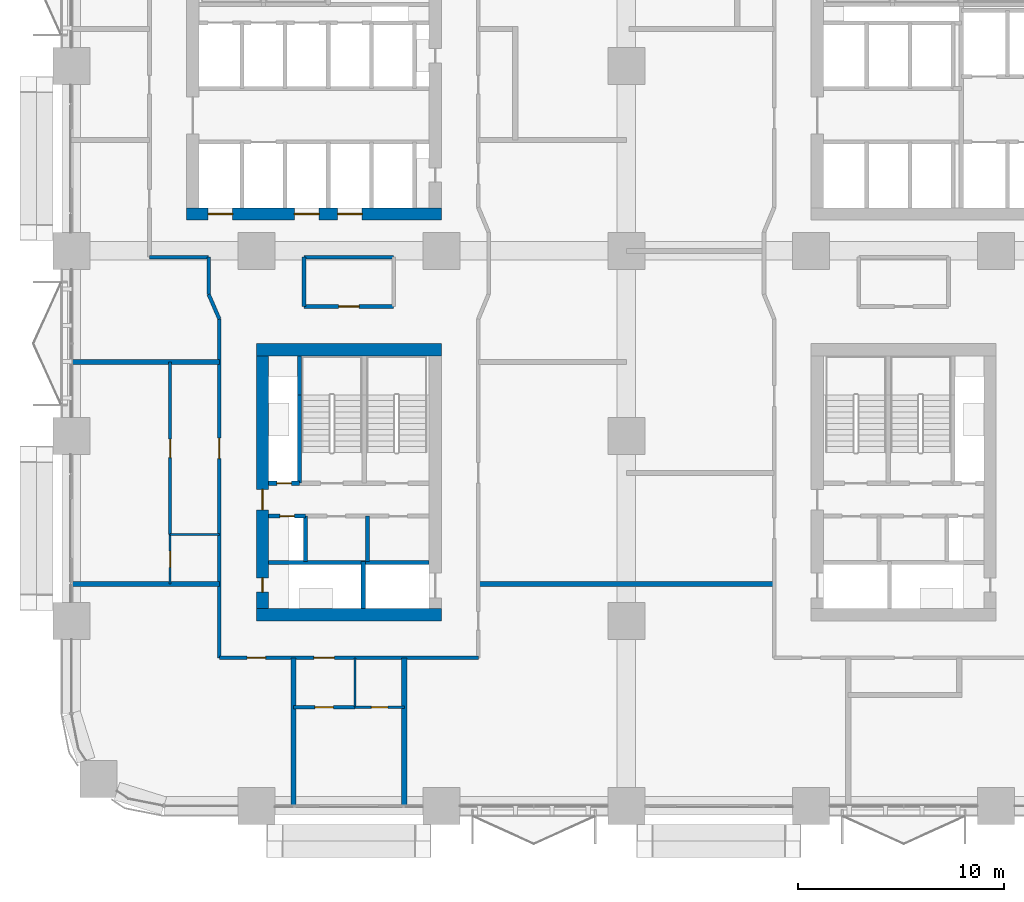
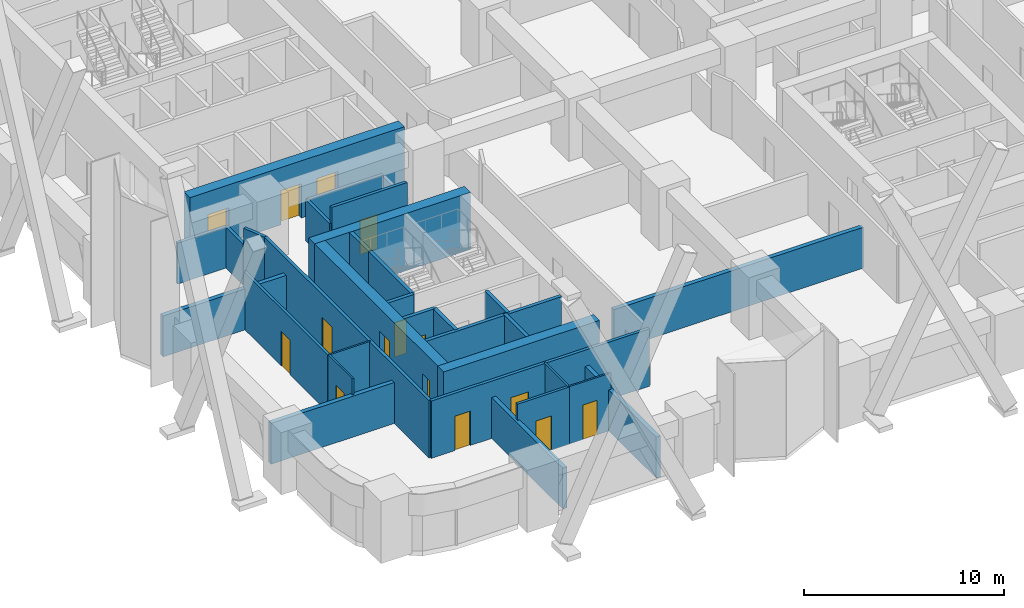
# One storey, part 17 of 26: 31 walls, 15 doors, 15 openings.
"""IFC4 building model written with IfcOpenShell, lengths in metres."""

import ifcopenshell
import ifcopenshell.guid

model = None  # the IFC model being written
_history = None  # IfcOwnerHistory: only IFC2X3 demands one
_inside = {}  # id of a spatial element -> (the spatial element, [elements in it])
_under = {}  # id of a project, library or spatial element -> (it, [spatial elements below it])
_declared = {}  # id of a project -> (the project, [libraries it declares])
_typed = {}  # id of a type object -> (the type object, [elements of that type])
_made_of = {}  # id of a material, layer set ... -> (it, [elements and type objects made of it])


def new_model(schema):
    """Start an empty IFC model of exactly this schema.

    Asked for "IFC4X3", IfcOpenShell would pick the latest addendum, in which some entities
    have other attributes; the version numbers below select the first issue.
    IFC2X3 requires an IfcOwnerHistory on every rooted entity: one is made here for all.
    """
    global model, _history
    if schema == "IFC4X3":
        model = ifcopenshell.file(schema_version=(4, 3, 0, 0))
    else:
        model = ifcopenshell.file(schema=schema)
    _inside.clear()
    _under.clear()
    _declared.clear()
    _typed.clear()
    _made_of.clear()
    _history = None
    if model.schema == "IFC2X3":
        org = make("IfcOrganization", Name="unknown")
        user = make(
            "IfcPersonAndOrganization",
            ThePerson=make("IfcPerson", FamilyName="unknown"),
            TheOrganization=org,
        )
        app = make(
            "IfcApplication",
            ApplicationDeveloper=org,
            Version="unknown",
            ApplicationFullName="unknown",
            ApplicationIdentifier="unknown",
        )
        _history = make(
            "IfcOwnerHistory",
            OwningUser=user,
            OwningApplication=app,
            ChangeAction="ADDED",
            CreationDate=0,
        )
    return model


def make(cls, **values):
    """One entity of the class cls with the attributes given. An attribute that is None is left unset."""
    return model.create_entity(
        cls, **{name: value for name, value in values.items() if value is not None}
    )


def rooted(cls, **values):
    """An entity with a GlobalId (a new one), such as an element, a storey or a relation."""
    return make(cls, GlobalId=ifcopenshell.guid.new(), OwnerHistory=_history, **values)


def si_unit(unit_type, name, prefix=None):
    """IfcSIUnit, for example si_unit("LENGTHUNIT", "METRE", prefix="MILLI")."""
    return make("IfcSIUnit", UnitType=unit_type, Prefix=prefix, Name=name)


def assignment(units):
    """IfcUnitAssignment: the units of a project."""
    return None if units is None else make("IfcUnitAssignment", Units=units)


def point(xyz):
    """IfcCartesianPoint."""
    return None if xyz is None else make("IfcCartesianPoint", Coordinates=xyz)


def direction(xyz):
    """IfcDirection."""
    return None if xyz is None else make("IfcDirection", DirectionRatios=xyz)


def frame(location, z_axis=None, x_axis=None):
    """IfcAxis2Placement3D, a coordinate frame: its origin and axes. An axis left out is left unset."""
    return make(
        "IfcAxis2Placement3D",
        Location=point(location),
        Axis=direction(z_axis),
        RefDirection=direction(x_axis),
    )


def frame_2d(location, x_axis=None):
    """IfcAxis2Placement2D, a coordinate frame in the plane: its origin and x axis."""
    return make(
        "IfcAxis2Placement2D", Location=point(location), RefDirection=direction(x_axis)
    )


def origin():
    """The frame at (0, 0, 0) with its axes left unset."""
    return frame((0.0, 0.0, 0.0))


def place(relative_to, where):
    """IfcLocalPlacement: puts the frame where relative to a parent placement (None: the world)."""
    return make(
        "IfcLocalPlacement", PlacementRelTo=relative_to, RelativePlacement=where
    )


def context(
    kind, dimensions, precision=None, world=None, true_north=None, identifier=None
):
    """IfcGeometricRepresentationContext, for example the 3D "Model" context."""
    return make(
        "IfcGeometricRepresentationContext",
        ContextIdentifier=identifier,
        ContextType=kind,
        CoordinateSpaceDimension=dimensions,
        Precision=precision,
        WorldCoordinateSystem=world,
        TrueNorth=true_north,
    )


def subcontext(parent, identifier, kind, view, scale=None):
    """IfcGeometricRepresentationSubContext, for example "Body" below "Model"."""
    return make(
        "IfcGeometricRepresentationSubContext",
        ContextIdentifier=identifier,
        ContextType=kind,
        ParentContext=parent,
        TargetScale=scale,
        TargetView=view,
    )


def project(units=None, contexts=None):
    """IfcProject with its units and contexts."""
    return rooted(
        "IfcProject",
        Name="project",
        RepresentationContexts=contexts,
        UnitsInContext=assignment(units),
    )


def spatial(cls, under=None, at=None, **own):
    """A site, building, storey or space (cls), placed at a placement, below another one or the project."""
    s = rooted(cls, ObjectPlacement=at, **own)
    if under is not None:
        _under.setdefault(under.id(), (under, []))[1].append(s)
    return s


def profile(cls, at=None, kind="AREA", **sizes):
    """A parametric profile (cls). Its sizes go by their IFC names, for example OverallWidth=200.0."""
    return make(cls, ProfileType=kind, Position=at, **sizes)


def rectangle(**sizes):
    """IfcRectangleProfileDef."""
    return profile("IfcRectangleProfileDef", **sizes)


def extrude(swept, where, along, depth):
    """IfcExtrudedAreaSolid: the profile swept, set in the frame where, extruded along a direction by depth."""
    return make(
        "IfcExtrudedAreaSolid",
        SweptArea=swept,
        Position=where,
        ExtrudedDirection=direction(along),
        Depth=depth,
    )


def shape(context_of_items, identifier, shape_type, items):
    """IfcShapeRepresentation: the items that make up one representation, for example the "Body"."""
    return make(
        "IfcShapeRepresentation",
        ContextOfItems=context_of_items,
        RepresentationIdentifier=identifier,
        RepresentationType=shape_type,
        Items=items,
    )


def material(Name=None, Category=None):
    """IfcMaterial."""
    return make("IfcMaterial", Name=Name, Category=Category)


def layer(
    of_material, thickness, ventilated=None, Name=None, Category=None, Priority=None
):
    """IfcMaterialLayer: one layer of a wall or slab, of a material (None: an air gap)."""
    return make(
        "IfcMaterialLayer",
        Material=of_material,
        LayerThickness=thickness,
        IsVentilated=ventilated,
        Name=Name,
        Category=Category,
        Priority=Priority,
    )


def layer_set(layers, Name=None):
    """IfcMaterialLayerSet."""
    return make("IfcMaterialLayerSet", MaterialLayers=layers, LayerSetName=Name)


def made_of(thing, what):
    """Note that an element or type object is made of a material, layer set ...; save() writes the relation."""
    if what is not None:
        _made_of.setdefault(what.id(), (what, []))[1].append(thing)
    return thing


def type_object(cls, material=None, **own):
    """A type object (cls), such as IfcWallType, which elements share."""
    return made_of(rooted(cls, **own), material)


def element(
    cls,
    number,
    at=None,
    inside=None,
    cuts=None,
    type_object=None,
    material=None,
    context=None,
    identifier="Body",
    shape_type=None,
    held_by="IfcProductDefinitionShape",
    body=None,
    shapes=None,
    **own,
):
    """One element of the class cls, such as IfcWall. Its Tag is "e" and its number.

    at: its placement. inside: the storey or other place that contains it. cuts: it is an
    opening in that element (IfcRelVoidsElement). A single representation is given by context,
    identifier, shape_type and body (its items); several are given by shapes. held_by: the class
    of the entity that holds the representations. save() writes the other relations.
    """
    e = rooted(cls, Tag="e%d" % number, ObjectPlacement=at, **own)
    if body is not None:
        shapes = [shape(context, identifier, shape_type, body)]
    if shapes is not None:
        e.Representation = make(held_by, Representations=shapes)
    if inside is not None:
        _inside.setdefault(inside.id(), (inside, []))[1].append(e)
    if cuts is not None:
        rooted(
            "IfcRelVoidsElement", RelatingBuildingElement=cuts, RelatedOpeningElement=e
        )
    if type_object is not None:
        _typed.setdefault(type_object.id(), (type_object, []))[1].append(e)
    return made_of(e, material)


def fill(opening, filler):
    """IfcRelFillsElement: the door or window that sits in an opening."""
    return rooted(
        "IfcRelFillsElement",
        RelatingOpeningElement=opening,
        RelatedBuildingElement=filler,
    )


def aggregate(whole, parts):
    """IfcRelAggregates: a whole, such as a stair, and the parts it consists of."""
    return rooted("IfcRelAggregates", RelatingObject=whole, RelatedObjects=parts)


def save(model, path):
    """Write the relations noted so far, then the file.

    IfcRelAggregates (storeys below a building ...), IfcRelContainedInSpatialStructure (elements
    in a storey), IfcRelDefinesByType, IfcRelAssociatesMaterial and IfcRelDeclares: one each for
    every whole, place, type object, material and project.
    """
    for whole, parts in _under.values():
        aggregate(whole, parts)
    for where, things in _inside.values():
        rooted(
            "IfcRelContainedInSpatialStructure",
            RelatedElements=things,
            RelatingStructure=where,
        )
    for kind, things in _typed.values():
        rooted("IfcRelDefinesByType", RelatedObjects=things, RelatingType=kind)
    for what, things in _made_of.values():
        rooted("IfcRelAssociatesMaterial", RelatedObjects=things, RelatingMaterial=what)
    for by, libraries in _declared.values():
        rooted("IfcRelDeclares", RelatingContext=by, RelatedDefinitions=libraries)
    model.write(path)


model = new_model("IFC4")

# Units and contexts
model_context = context("Model", 3, precision=1e-05, world=origin(), true_north=direction((0.0, 1.0)))
body_context = subcontext(model_context, "Body", "Model", "MODEL_VIEW")
ifc_project = project(units=[si_unit("LENGTHUNIT", "METRE"), si_unit("AREAUNIT", "SQUARE_METRE"), si_unit("VOLUMEUNIT", "CUBIC_METRE"), si_unit("PLANEANGLEUNIT", "RADIAN"), si_unit("MASSUNIT", "GRAM", prefix="KILO")], contexts=[model_context])

# Site, building, storey
site_placement = place(None, origin())
site = spatial("IfcSite", under=ifc_project, at=site_placement, CompositionType="ELEMENT")
building_placement = place(site_placement, origin())
building = spatial("IfcBuilding", under=site, at=building_placement, Name="Tessera Arch", CompositionType="ELEMENT")
storey_placement = place(building_placement, frame((0.0, 0.0, 31.0)))
storey = spatial("IfcBuildingStorey", under=building, at=storey_placement, Name="L05", CompositionType="ELEMENT", Elevation=31.0)

# Wall
ifc_material_1 = material(Name="Gypsum board on steel stud", Category="steel")
ifc_layer_1 = layer(ifc_material_1, 0.125)
ifc_layer_set_1 = layer_set([ifc_layer_1], Name="Core partition 125 EI 60")
wall_type_1 = type_object("IfcWallType", Name="Core partition 125 EI 60", PredefinedType="PARTITIONING", material=ifc_layer_set_1)
wall_1_placement = place(storey_placement, frame((14.39990234375, 11.89990234375, 0.0), z_axis=(0.0, 0.0, 1.0), x_axis=(0.0, 1.0, 0.0)))
element("IfcWall", 1, at=wall_1_placement, inside=storey, type_object=wall_type_1, Name="L05 C4 partition wall 7", PredefinedType="PARTITIONING", context=body_context, shape_type="SweptSolid", body=[
    extrude(rectangle(XDim=2.2001953125, YDim=0.199951171875, at=frame_2d((1.10009765625, 0.0))), origin(), (0.0, 0.0, 1.0), 3.5),
])

# Wall, openings, doors
ifc_material_2 = material(Name="Concrete C70/85", Category="concrete")
ifc_layer_2 = layer(ifc_material_2, 0.60009765625)
ifc_layer_set_2 = layer_set([ifc_layer_2], Name="Core shell wall 600 C70-85")
wall_type_2 = type_object("IfcWallType", Name="Core shell wall 600 C70-85", PredefinedType="SHEAR", material=ifc_layer_set_2)
wall_2_placement = place(storey_placement, frame((5.60009765625, 28.800048828125, 0.0), z_axis=(0.0, 0.0, 1.0), x_axis=(1.0, 0.0, 0.0)))
wall_2 = element("IfcWall", 2, at=wall_2_placement, inside=storey, type_object=wall_type_2, Name="L05 C2 core wall S", PredefinedType="SHEAR", context=body_context, shape_type="SweptSolid", body=[
    extrude(rectangle(XDim=12.39990234375, YDim=0.60009765625, at=frame_2d((6.199951171875, 0.0))), origin(), (0.0, 0.0, 1.0), 3.5),
])
opening_1_placement = place(wall_2_placement, frame((1.050048828125, 0.0, 0.0)))
opening_1 = element("IfcOpeningElement", 3, at=opening_1_placement, cuts=wall_2, Name="Opening L05-C14", PredefinedType="OPENING", context=body_context, shape_type="SweptSolid", body=[
    extrude(rectangle(XDim=1.199951171875, YDim=2.10009765625, at=frame_2d((0.60009765625, 1.050048828125))), frame((0.0, 0.31005859375, 0.0), z_axis=(0.0, -1.0, 0.0), x_axis=(1.0, 0.0, 0.0)), (0.0, 0.0, 1.0), 0.6201171875),
])
opening_2_placement = place(wall_2_placement, frame((5.25, 0.0, 0.0)))
opening_2 = element("IfcOpeningElement", 4, at=opening_2_placement, cuts=wall_2, Name="Opening L05-C16", PredefinedType="OPENING", context=body_context, shape_type="SweptSolid", body=[
    extrude(rectangle(XDim=1.199951171875, YDim=2.10009765625, at=frame_2d((0.60009765625, 1.050048828125))), frame((0.0, 0.31005859375, 0.0), z_axis=(0.0, -1.0, 0.0), x_axis=(1.0, 0.0, 0.0)), (0.0, 0.0, 1.0), 0.6201171875),
])
opening_3_placement = place(wall_2_placement, frame((7.35009765625, 0.0, 0.0)))
opening_3 = element("IfcOpeningElement", 5, at=opening_3_placement, cuts=wall_2, Name="Opening L05-C17", PredefinedType="OPENING", context=body_context, shape_type="SweptSolid", body=[
    extrude(rectangle(XDim=1.199951171875, YDim=2.10009765625, at=frame_2d((0.60009765625, 1.050048828125))), frame((0.0, 0.31005859375, 0.0), z_axis=(0.0, -1.0, 0.0), x_axis=(1.0, 0.0, 0.0)), (0.0, 0.0, 1.0), 0.6201171875),
])
ifc_material_3 = material(Name="Stainless steel AISI 304", Category="steel")
door_type_1 = type_object("IfcDoorType", Name="Sliding landing door 1200 x 2100", OperationType="SLIDING_TO_LEFT", PredefinedType="DOOR", material=ifc_material_3)
door_1_placement = place(opening_1_placement, origin())
door_1 = element("IfcDoor", 6, at=door_1_placement, inside=storey, type_object=door_type_1, Name="L05 LR1 lift landing door C14 type LD", OperationType="SLIDING_TO_LEFT", OverallHeight=2.10009765625, OverallWidth=1.199951171875, PredefinedType="DOOR", context=body_context, shape_type="SweptSolid", body=[
    extrude(rectangle(XDim=1.199951171875, YDim=2.10009765625, at=frame_2d((0.60009765625, 1.050048828125))), frame((0.0, 0.02490234375, 0.0), z_axis=(0.0, -1.0, 0.0), x_axis=(1.0, 0.0, 0.0)), (0.0, 0.0, 1.0), 0.050048828125),
])
fill(opening_1, door_1)
door_2_placement = place(opening_2_placement, origin())
door_2 = element("IfcDoor", 7, at=door_2_placement, inside=storey, type_object=door_type_1, Name="L05 LR3 lift landing door C16 type LD", OperationType="SLIDING_TO_LEFT", OverallHeight=2.10009765625, OverallWidth=1.199951171875, PredefinedType="DOOR", context=body_context, shape_type="SweptSolid", body=[
    extrude(rectangle(XDim=1.199951171875, YDim=2.10009765625, at=frame_2d((0.60009765625, 1.050048828125))), frame((0.0, 0.02490234375, 0.0), z_axis=(0.0, -1.0, 0.0), x_axis=(1.0, 0.0, 0.0)), (0.0, 0.0, 1.0), 0.050048828125),
])
fill(opening_2, door_2)
door_3_placement = place(opening_3_placement, origin())
door_3 = element("IfcDoor", 8, at=door_3_placement, inside=storey, type_object=door_type_1, Name="L05 LR4 lift landing door C17 type LD", OperationType="SLIDING_TO_LEFT", OverallHeight=2.10009765625, OverallWidth=1.199951171875, PredefinedType="DOOR", context=body_context, shape_type="SweptSolid", body=[
    extrude(rectangle(XDim=1.199951171875, YDim=2.10009765625, at=frame_2d((0.60009765625, 1.050048828125))), frame((0.0, 0.02490234375, 0.0), z_axis=(0.0, -1.0, 0.0), x_axis=(1.0, 0.0, 0.0)), (0.0, 0.0, 1.0), 0.050048828125),
])
fill(opening_3, door_3)

# Walls
for number, where, z_axis, x_axis, name in (
    (9, (9.0, 9.300048828125, 0.0), (0.0, 0.0, 1.0), (1.0, 0.0, 0.0), "L05 C4 core wall S"),
    (10, (9.0, 22.199951171875, 0.0), (0.0, 0.0, 1.0), (1.0, 0.0, 0.0), "L05 C4 core wall N"),
):
    element("IfcWall", number, at=place(storey_placement, frame(where, z_axis=z_axis, x_axis=x_axis)), inside=storey, type_object=wall_type_2, Name=name, PredefinedType="SHEAR", context=body_context, shape_type="SweptSolid", body=[
        extrude(rectangle(XDim=9.0, YDim=0.60009765625, at=frame_2d((4.5, 0.0))), origin(), (0.0, 0.0, 1.0), 3.5),
    ])

# Wall, openings, doors
wall_3_placement = place(storey_placement, frame((9.300048828125, 9.60009765625, 0.0), z_axis=(0.0, 0.0, 1.0), x_axis=(0.0, 1.0, 0.0)))
wall_3 = element("IfcWall", 11, at=wall_3_placement, inside=storey, type_object=wall_type_2, Name="L05 C4 core wall W", PredefinedType="SHEAR", context=body_context, shape_type="SweptSolid", body=[
    extrude(rectangle(XDim=12.2998046875, YDim=0.60009765625, at=frame_2d((6.14990234375, 0.0))), origin(), (0.0, 0.0, 1.0), 3.5),
])
opening_4_placement = place(wall_3_placement, frame((0.800048828125, 0.0, 0.0)))
opening_4 = element("IfcOpeningElement", 12, at=opening_4_placement, cuts=wall_3, Name="Opening L05-C45", PredefinedType="OPENING", context=body_context, shape_type="SweptSolid", body=[
    extrude(rectangle(XDim=0.699951171875, YDim=2.10009765625, at=frame_2d((0.35009765625, 1.050048828125))), frame((0.0, 0.31005859375, 0.0), z_axis=(0.0, -1.0, 0.0), x_axis=(1.0, 0.0, 0.0)), (0.0, 0.0, 1.0), 0.6201171875),
])
opening_5_placement = place(wall_3_placement, frame((4.800048828125, 0.0, 0.0)))
opening_5 = element("IfcOpeningElement", 13, at=opening_5_placement, cuts=wall_3, Name="Opening L05-C46", PredefinedType="OPENING", context=body_context, shape_type="SweptSolid", body=[
    extrude(rectangle(XDim=1.0, YDim=2.10009765625, at=frame_2d((0.5, 1.050048828125))), frame((0.0, 0.31005859375, 0.0), z_axis=(0.0, -1.0, 0.0), x_axis=(1.0, 0.0, 0.0)), (0.0, 0.0, 1.0), 0.6201171875),
])
ifc_material_4 = material(Name="Steel door leaf", Category="steel")
door_type_2 = type_object("IfcDoorType", Name="Corridor door FD60 1000 x 2100", OperationType="SINGLE_SWING_LEFT", PredefinedType="DOOR", material=ifc_material_4)
door_4_placement = place(opening_5_placement, origin())
door_4 = element("IfcDoor", 14, at=door_4_placement, inside=storey, type_object=door_type_2, Name="L05 C4 door 7 C46 type D12", OperationType="SINGLE_SWING_LEFT", OverallHeight=2.10009765625, OverallWidth=1.0, PredefinedType="DOOR", context=body_context, shape_type="SweptSolid", body=[
    extrude(rectangle(XDim=1.0, YDim=2.10009765625, at=frame_2d((0.5, 1.050048828125))), frame((0.0, 0.02490234375, 0.0), z_axis=(0.0, -1.0, 0.0), x_axis=(1.0, 0.0, 0.0)), (0.0, 0.0, 1.0), 0.050048828125),
])
fill(opening_5, door_4)
ifc_material_5 = material(Name="Steel door leaf", Category="steel")
door_type_3 = type_object("IfcDoorType", Name="Service shaft door FD60 700 x 2100", OperationType="SINGLE_SWING_LEFT", PredefinedType="DOOR", material=ifc_material_5)
door_5_placement = place(opening_4_placement, origin())
door_5 = element("IfcDoor", 15, at=door_5_placement, inside=storey, type_object=door_type_3, Name="L05 C4 door 6 C45 type D07", OperationType="SINGLE_SWING_LEFT", OverallHeight=2.10009765625, OverallWidth=0.699951171875, PredefinedType="DOOR", context=body_context, shape_type="SweptSolid", body=[
    extrude(rectangle(XDim=0.699951171875, YDim=2.10009765625, at=frame_2d((0.35009765625, 1.050048828125))), frame((0.0, 0.02490234375, 0.0), z_axis=(0.0, -1.0, 0.0), x_axis=(1.0, 0.0, 0.0)), (0.0, 0.0, 1.0), 0.050048828125),
])
fill(opening_4, door_5)

ifc_material_6 = material(Name="Gypsum board on deep steel stud with mineral wool", Category="steel")
ifc_layer_3 = layer(ifc_material_6, 0.175048828125)
ifc_layer_set_3 = layer_set([ifc_layer_3], Name="Corridor wall 175 EI 60")
wall_type_3 = type_object("IfcWallType", Name="Corridor wall 175 EI 60", PredefinedType="PARTITIONING", material=ifc_layer_set_3)
wall_4_placement = place(storey_placement, frame((7.199951171875, 7.199951171875, 0.0), z_axis=(0.0, 0.0, 1.0), x_axis=(1.0, 0.0, 0.0)))
wall_4 = element("IfcWall", 16, at=wall_4_placement, inside=storey, type_object=wall_type_3, Name="L05 partition 1", PredefinedType="PARTITIONING", context=body_context, shape_type="SweptSolid", body=[
    extrude(rectangle(XDim=12.60009765625, YDim=0.175048828125, at=frame_2d((6.300048828125, 0.0))), origin(), (0.0, 0.0, 1.0), 3.5),
])
opening_6_placement = place(wall_4_placement, frame((4.60009765625, 0.0, 0.0)))
opening_6 = element("IfcOpeningElement", 17, at=opening_6_placement, cuts=wall_4, Name="Opening L05-D001", PredefinedType="OPENING", context=body_context, shape_type="SweptSolid", body=[
    extrude(rectangle(XDim=1.0, YDim=2.10009765625, at=frame_2d((0.5, 1.050048828125))), frame((0.0, 0.097412109375, 0.0), z_axis=(0.0, -1.0, 0.0), x_axis=(1.0, 0.0, 0.0)), (0.0, 0.0, 1.0), 0.195068359375),
])
opening_7_placement = place(wall_4_placement, frame((1.35009765625, 0.0, 0.0)))
opening_7 = element("IfcOpeningElement", 18, at=opening_7_placement, cuts=wall_4, Name="Opening L05-D006", PredefinedType="OPENING", context=body_context, shape_type="SweptSolid", body=[
    extrude(rectangle(XDim=0.89990234375, YDim=2.10009765625, at=frame_2d((0.449951171875, 1.050048828125))), frame((0.0, 0.097412109375, 0.0), z_axis=(0.0, -1.0, 0.0), x_axis=(1.0, 0.0, 0.0)), (0.0, 0.0, 1.0), 0.195068359375),
])
ifc_material_7 = material(Name="Fire-rated door leaf")
door_type_4 = type_object("IfcDoorType", Name="Entrance door FD30S 1000 x 2100", OperationType="SINGLE_SWING_LEFT", PredefinedType="DOOR", material=ifc_material_7)
door_6_placement = place(opening_6_placement, origin())
door_6 = element("IfcDoor", 19, at=door_6_placement, inside=storey, type_object=door_type_4, Name="L05 door D001 type D03", OperationType="SINGLE_SWING_RIGHT", OverallHeight=2.10009765625, OverallWidth=1.0, PredefinedType="DOOR", context=body_context, shape_type="SweptSolid", body=[
    extrude(rectangle(XDim=1.0, YDim=2.10009765625, at=frame_2d((0.5, 1.050048828125))), frame((0.0, 0.02490234375, 0.0), z_axis=(0.0, -1.0, 0.0), x_axis=(1.0, 0.0, 0.0)), (0.0, 0.0, 1.0), 0.050048828125),
])
fill(opening_6, door_6)
ifc_material_8 = material(Name="Timber door leaf", Category="wood")
door_type_5 = type_object("IfcDoorType", Name="Room door 900 x 2100", OperationType="SINGLE_SWING_LEFT", PredefinedType="DOOR", material=ifc_material_8)
door_7_placement = place(opening_7_placement, origin())
door_7 = element("IfcDoor", 20, at=door_7_placement, inside=storey, type_object=door_type_5, Name="L05 door D006 type D01", OperationType="SINGLE_SWING_LEFT", OverallHeight=2.10009765625, OverallWidth=0.89990234375, PredefinedType="DOOR", context=body_context, shape_type="SweptSolid", body=[
    extrude(rectangle(XDim=0.89990234375, YDim=2.10009765625, at=frame_2d((0.449951171875, 1.050048828125))), frame((0.0, 0.02490234375, 0.0), z_axis=(0.0, -1.0, 0.0), x_axis=(1.0, 0.0, 0.0)), (0.0, 0.0, 1.0), 0.050048828125),
])
fill(opening_7, door_7)

# Wall, opening, door
wall_5_placement = place(storey_placement, frame((11.320068359375, 24.300048828125, 0.0), z_axis=(0.0, 0.0, 1.0), x_axis=(1.0, 0.0, 0.0)))
wall_5 = element("IfcWall", 21, at=wall_5_placement, inside=storey, type_object=wall_type_3, Name="L05 partition 3", PredefinedType="PARTITIONING", context=body_context, shape_type="SweptSolid", body=[
    extrude(rectangle(XDim=4.35986328125, YDim=0.175048828125, at=frame_2d((2.179931640625, 0.0))), origin(), (0.0, 0.0, 1.0), 3.5),
])
opening_8_placement = place(wall_5_placement, frame((1.679931640625, 0.0, 0.0)))
opening_8 = element("IfcOpeningElement", 22, at=opening_8_placement, cuts=wall_5, Name="Opening L05-D018", PredefinedType="OPENING", context=body_context, shape_type="SweptSolid", body=[
    extrude(rectangle(XDim=1.0, YDim=2.10009765625, at=frame_2d((0.5, 1.050048828125))), frame((0.0, 0.097412109375, 0.0), z_axis=(0.0, -1.0, 0.0), x_axis=(1.0, 0.0, 0.0)), (0.0, 0.0, 1.0), 0.195068359375),
])
door_8_placement = place(opening_8_placement, origin())
door_8 = element("IfcDoor", 23, at=door_8_placement, inside=storey, type_object=door_type_4, Name="L05 door D018 type D03", OperationType="SINGLE_SWING_RIGHT", OverallHeight=2.10009765625, OverallWidth=1.0, PredefinedType="DOOR", context=body_context, shape_type="SweptSolid", body=[
    extrude(rectangle(XDim=1.0, YDim=2.10009765625, at=frame_2d((0.5, 1.050048828125))), frame((0.0, 0.02490234375, 0.0), z_axis=(0.0, -1.0, 0.0), x_axis=(1.0, 0.0, 0.0)), (0.0, 0.0, 1.0), 0.050048828125),
])
fill(opening_8, door_8)

# Walls
wall_6_placement = place(storey_placement, frame((3.800048828125, 26.699951171875, 0.0), z_axis=(0.0, 0.0, 1.0), x_axis=(1.0, 0.0, 0.0)))
element("IfcWall", 24, at=wall_6_placement, inside=storey, type_object=wall_type_3, Name="L05 partition 5", PredefinedType="PARTITIONING", context=body_context, shape_type="SweptSolid", body=[
    extrude(rectangle(XDim=2.8798828125, YDim=0.175048828125, at=frame_2d((1.43994140625, 0.0))), origin(), (0.0, 0.0, 1.0), 2.5),
])
wall_7_placement = place(storey_placement, frame((11.320068359375, 26.699951171875, 0.0), z_axis=(0.0, 0.0, 1.0), x_axis=(1.0, 0.0, 0.0)))
element("IfcWall", 25, at=wall_7_placement, inside=storey, type_object=wall_type_3, Name="L05 partition 6", PredefinedType="PARTITIONING", context=body_context, shape_type="SweptSolid", body=[
    extrude(rectangle(XDim=4.35986328125, YDim=0.175048828125, at=frame_2d((2.179931640625, 0.0))), origin(), (0.0, 0.0, 1.0), 2.5),
])
wall_8_placement = place(storey_placement, frame((6.679931640625, 24.889892578125, 0.0), z_axis=(0.0, 0.0, 1.0), x_axis=(0.0, 1.0, 0.0)))
element("IfcWall", 26, at=wall_8_placement, inside=storey, type_object=wall_type_3, Name="L05 partition 12", PredefinedType="PARTITIONING", context=body_context, shape_type="SweptSolid", body=[
    extrude(rectangle(XDim=1.81005859375, YDim=0.175048828125, at=frame_2d((0.905029296875, 0.0))), origin(), (0.0, 0.0, 1.0), 2.5),
])

# Wall, opening, door
wall_9_placement = place(storey_placement, frame((7.199951171875, 7.199951171875, 0.0), z_axis=(0.0, 0.0, 1.0), x_axis=(0.0, 1.0, 0.0)))
wall_9 = element("IfcWall", 27, at=wall_9_placement, inside=storey, type_object=wall_type_3, Name="L05 partition 13", PredefinedType="PARTITIONING", context=body_context, shape_type="SweptSolid", body=[
    extrude(rectangle(XDim=16.489990234375, YDim=0.175048828125, at=frame_2d((8.2451171875, 0.0))), origin(), (0.0, 0.0, 1.0), 3.5),
])
opening_9_placement = place(wall_9_placement, frame((9.699951171875, 0.0, 0.0)))
opening_9 = element("IfcOpeningElement", 28, at=opening_9_placement, cuts=wall_9, Name="Opening L05-D010", PredefinedType="OPENING", context=body_context, shape_type="SweptSolid", body=[
    extrude(rectangle(XDim=1.0, YDim=2.10009765625, at=frame_2d((0.5, 1.050048828125))), frame((0.0, 0.097412109375, 0.0), z_axis=(0.0, -1.0, 0.0), x_axis=(1.0, 0.0, 0.0)), (0.0, 0.0, 1.0), 0.195068359375),
])
door_9_placement = place(opening_9_placement, origin())
door_9 = element("IfcDoor", 29, at=door_9_placement, inside=storey, type_object=door_type_4, Name="L05 door D010 type D03", OperationType="SINGLE_SWING_RIGHT", OverallHeight=2.10009765625, OverallWidth=1.0, PredefinedType="DOOR", context=body_context, shape_type="SweptSolid", body=[
    extrude(rectangle(XDim=1.0, YDim=2.10009765625, at=frame_2d((0.5, 1.050048828125))), frame((0.0, 0.02490234375, 0.0), z_axis=(0.0, -1.0, 0.0), x_axis=(1.0, 0.0, 0.0)), (0.0, 0.0, 1.0), 0.050048828125),
])
fill(opening_9, door_9)

# Walls
wall_10_placement = place(storey_placement, frame((11.320068359375, 24.300048828125, 0.0), z_axis=(0.0, 0.0, 1.0), x_axis=(0.0, 1.0, 0.0)))
element("IfcWall", 30, at=wall_10_placement, inside=storey, type_object=wall_type_3, Name="L05 partition 14", PredefinedType="PARTITIONING", context=body_context, shape_type="SweptSolid", body=[
    extrude(rectangle(XDim=2.39990234375, YDim=0.175048828125, at=frame_2d((1.199951171875, 0.0))), origin(), (0.0, 0.0, 1.0), 2.5),
])
wall_11_placement = place(storey_placement, frame((7.199951171875, 23.68994140625, 0.0), z_axis=(0.0, 0.0, 1.0), x_axis=(-0.397633632391, 0.917544273804, 0.0)))
element("IfcWall", 31, at=wall_11_placement, inside=storey, type_object=wall_type_3, Name="L05 partition 67", PredefinedType="PARTITIONING", context=body_context, shape_type="SweptSolid", body=[
    extrude(rectangle(XDim=1.307861328125, YDim=0.175048828125, at=frame_2d((0.65380859375, 0.0))), origin(), (0.0, 0.0, 1.0), 3.5),
])

# Wall, opening, door
ifc_material_9 = material(Name="Gypsum board on steel stud", Category="steel")
ifc_layer_4 = layer(ifc_material_9, 0.14990234375)
ifc_layer_set_4 = layer_set([ifc_layer_4], Name="Partition 150")
wall_type_4 = type_object("IfcWallType", Name="Partition 150", PredefinedType="PARTITIONING", material=ifc_layer_set_4)
wall_12_placement = place(storey_placement, frame((10.800048828125, 4.800048828125, 0.0), z_axis=(0.0, 0.0, 1.0), x_axis=(1.0, 0.0, 0.0)))
wall_12 = element("IfcWall", 32, at=wall_12_placement, inside=storey, type_object=wall_type_4, Name="L05 partition 27", PredefinedType="PARTITIONING", context=body_context, shape_type="SweptSolid", body=[
    extrude(rectangle(XDim=3.0, YDim=0.14990234375, at=frame_2d((1.5, 0.0))), origin(), (0.0, 0.0, 1.0), 3.5),
])
opening_10_placement = place(wall_12_placement, frame((1.050048828125, 0.0, 0.0)))
opening_10 = element("IfcOpeningElement", 33, at=opening_10_placement, cuts=wall_12, Name="Opening L05-D002", PredefinedType="OPENING", context=body_context, shape_type="SweptSolid", body=[
    extrude(rectangle(XDim=0.89990234375, YDim=2.10009765625, at=frame_2d((0.449951171875, 1.050048828125))), frame((0.0, 0.0849609375, 0.0), z_axis=(0.0, -1.0, 0.0), x_axis=(1.0, 0.0, 0.0)), (0.0, 0.0, 1.0), 0.169921875),
])
door_10_placement = place(opening_10_placement, origin())
door_10 = element("IfcDoor", 34, at=door_10_placement, inside=storey, type_object=door_type_5, Name="L05 door D002 type D01", OperationType="SINGLE_SWING_LEFT", OverallHeight=2.10009765625, OverallWidth=0.89990234375, PredefinedType="DOOR", context=body_context, shape_type="SweptSolid", body=[
    extrude(rectangle(XDim=0.89990234375, YDim=2.10009765625, at=frame_2d((0.449951171875, 1.050048828125))), frame((0.0, 0.02490234375, 0.0), z_axis=(0.0, -1.0, 0.0), x_axis=(1.0, 0.0, 0.0)), (0.0, 0.0, 1.0), 0.050048828125),
])
fill(opening_10, door_10)

wall_13_placement = place(storey_placement, frame((4.800048828125, 13.199951171875, 0.0), z_axis=(0.0, 0.0, 1.0), x_axis=(0.0, 1.0, 0.0)))
wall_13 = element("IfcWall", 35, at=wall_13_placement, inside=storey, type_object=wall_type_4, Name="L05 partition 28", PredefinedType="PARTITIONING", context=body_context, shape_type="SweptSolid", body=[
    extrude(rectangle(XDim=8.400146484375, YDim=0.14990234375, at=frame_2d((4.2001953125, 0.0))), origin(), (0.0, 0.0, 1.0), 3.5),
])
opening_11_placement = place(wall_13_placement, frame((3.75, 0.0, 0.0)))
opening_11 = element("IfcOpeningElement", 36, at=opening_11_placement, cuts=wall_13, Name="Opening L05-D011", PredefinedType="OPENING", context=body_context, shape_type="SweptSolid", body=[
    extrude(rectangle(XDim=0.89990234375, YDim=2.10009765625, at=frame_2d((0.449951171875, 1.050048828125))), frame((0.0, 0.0849609375, 0.0), z_axis=(0.0, -1.0, 0.0), x_axis=(1.0, 0.0, 0.0)), (0.0, 0.0, 1.0), 0.169921875),
])
door_11_placement = place(opening_11_placement, origin())
door_11 = element("IfcDoor", 37, at=door_11_placement, inside=storey, type_object=door_type_5, Name="L05 door D011 type D01", OperationType="SINGLE_SWING_LEFT", OverallHeight=2.10009765625, OverallWidth=0.89990234375, PredefinedType="DOOR", context=body_context, shape_type="SweptSolid", body=[
    extrude(rectangle(XDim=0.89990234375, YDim=2.10009765625, at=frame_2d((0.449951171875, 1.050048828125))), frame((0.0, 0.02490234375, 0.0), z_axis=(0.0, -1.0, 0.0), x_axis=(1.0, 0.0, 0.0)), (0.0, 0.0, 1.0), 0.050048828125),
])
fill(opening_11, door_11)

# Walls
ifc_material_10 = material(Name="Double gypsum board on twin steel stud with acoustic mineral wool", Category="steel")
ifc_layer_5 = layer(ifc_material_10, 0.25)
ifc_layer_set_5 = layer_set([ifc_layer_5], Name="Party wall 250 EI 60")
wall_type_5 = type_object("IfcWallType", Name="Party wall 250 EI 60", PredefinedType="PARTITIONING", material=ifc_layer_set_5)
wall_14_placement = place(storey_placement, frame((0.0, 10.800048828125, 0.0), z_axis=(0.0, 0.0, 1.0), x_axis=(1.0, 0.0, 0.0)))
element("IfcWall", 38, at=wall_14_placement, inside=storey, type_object=wall_type_5, Name="L05 partition 31", PredefinedType="PARTITIONING", context=body_context, shape_type="SweptSolid", body=[
    extrude(rectangle(XDim=7.199951171875, YDim=0.25, at=frame_2d((3.60009765625, 0.0))), origin(), (0.0, 0.0, 1.0), 2.5),
])
wall_15_placement = place(storey_placement, frame((19.800048828125, 10.800048828125, 0.0), z_axis=(0.0, 0.0, 1.0), x_axis=(1.0, 0.0, 0.0)))
element("IfcWall", 39, at=wall_15_placement, inside=storey, type_object=wall_type_5, Name="L05 partition 32", PredefinedType="PARTITIONING", context=body_context, shape_type="SweptSolid", body=[
    extrude(rectangle(XDim=14.39990234375, YDim=0.25, at=frame_2d((7.199951171875, 0.0))), origin(), (0.0, 0.0, 1.0), 2.5),
])
for number, where, z_axis, x_axis, name in (
    (40, (0.0, 21.60009765625, 0.0), (0.0, 0.0, 1.0), (1.0, 0.0, 0.0), "L05 partition 35"),
    (41, (10.800048828125, 0.0, 0.0), (0.0, 0.0, 1.0), (0.0, 1.0, 0.0), "L05 partition 48"),
    (42, (16.199951171875, 0.0, 0.0), (0.0, 0.0, 1.0), (0.0, 1.0, 0.0), "L05 partition 50"),
):
    element("IfcWall", number, at=place(storey_placement, frame(where, z_axis=z_axis, x_axis=x_axis)), inside=storey, type_object=wall_type_5, Name=name, PredefinedType="PARTITIONING", context=body_context, shape_type="SweptSolid", body=[
        extrude(rectangle(XDim=7.199951171875, YDim=0.25, at=frame_2d((3.60009765625, 0.0))), origin(), (0.0, 0.0, 1.0), 2.5),
    ])
ifc_material_11 = material(Name="Concrete C40/50", Category="concrete")
ifc_layer_6 = layer(ifc_material_11, 0.199951171875)
ifc_layer_set_6 = layer_set([ifc_layer_6], Name="Shaft wall 200 EI 120")
wall_type_6 = type_object("IfcWallType", Name="Shaft wall 200 EI 120", PredefinedType="SOLIDWALL", material=ifc_layer_set_6)
wall_16_placement = place(storey_placement, frame((11.39990234375, 11.89990234375, 0.0), z_axis=(0.0, 0.0, 1.0), x_axis=(0.0, 1.0, 0.0)))
element("IfcWall", 43, at=wall_16_placement, inside=storey, type_object=wall_type_6, Name="L05 C4 shaft wall 3", PredefinedType="SOLIDWALL", context=body_context, shape_type="SweptSolid", body=[
    extrude(rectangle(XDim=2.2001953125, YDim=0.199951171875, at=frame_2d((1.10009765625, 0.0))), origin(), (0.0, 0.0, 1.0), 3.5),
])
wall_17_placement = place(storey_placement, frame((14.199951171875, 9.60009765625, 0.0), z_axis=(0.0, 0.0, 1.0), x_axis=(0.0, 1.0, 0.0)))
element("IfcWall", 44, at=wall_17_placement, inside=storey, type_object=wall_type_6, Name="L05 C4 shaft wall 4", PredefinedType="SOLIDWALL", context=body_context, shape_type="SweptSolid", body=[
    extrude(rectangle(XDim=2.2998046875, YDim=0.199951171875, at=frame_2d((1.14990234375, 0.0))), origin(), (0.0, 0.0, 1.0), 3.5),
])
wall_18_placement = place(storey_placement, frame((9.60009765625, 11.85009765625, 0.0), z_axis=(0.0, 0.0, 1.0), x_axis=(1.0, 0.0, 0.0)))
element("IfcWall", 45, at=wall_18_placement, inside=storey, type_object=wall_type_6, Name="L05 C4 shaft wall 8", PredefinedType="SOLIDWALL", context=body_context, shape_type="SweptSolid", body=[
    extrude(rectangle(XDim=7.7998046875, YDim=0.199951171875, at=frame_2d((3.89990234375, 0.0))), origin(), (0.0, 0.0, 1.0), 3.5),
])

# Wall, opening, door
wall_19_placement = place(storey_placement, frame((9.60009765625, 14.10009765625, 0.0), z_axis=(0.0, 0.0, 1.0), x_axis=(1.0, 0.0, 0.0)))
wall_19 = element("IfcWall", 46, at=wall_19_placement, inside=storey, type_object=wall_type_6, Name="L05 C4 shaft wall 10", PredefinedType="SOLIDWALL", context=body_context, shape_type="SweptSolid", body=[
    extrude(rectangle(XDim=1.7998046875, YDim=0.199951171875, at=frame_2d((0.89990234375, 0.0))), origin(), (0.0, 0.0, 1.0), 3.5),
])
opening_12_placement = place(wall_19_placement, frame((0.550048828125, 0.0, 0.0)))
opening_12 = element("IfcOpeningElement", 47, at=opening_12_placement, cuts=wall_19, Name="Opening L05-C44", PredefinedType="OPENING", context=body_context, shape_type="SweptSolid", body=[
    extrude(rectangle(XDim=0.699951171875, YDim=2.10009765625, at=frame_2d((0.35009765625, 1.050048828125))), frame((0.0, 0.10986328125, 0.0), z_axis=(0.0, -1.0, 0.0), x_axis=(1.0, 0.0, 0.0)), (0.0, 0.0, 1.0), 0.219970703125),
])
door_12_placement = place(opening_12_placement, origin())
door_12 = element("IfcDoor", 48, at=door_12_placement, inside=storey, type_object=door_type_3, Name="L05 C4 door 5 C44 type D07", OperationType="SINGLE_SWING_LEFT", OverallHeight=2.10009765625, OverallWidth=0.699951171875, PredefinedType="DOOR", context=body_context, shape_type="SweptSolid", body=[
    extrude(rectangle(XDim=0.699951171875, YDim=2.10009765625, at=frame_2d((0.35009765625, 1.050048828125))), frame((0.0, 0.02490234375, 0.0), z_axis=(0.0, -1.0, 0.0), x_axis=(1.0, 0.0, 0.0)), (0.0, 0.0, 1.0), 0.050048828125),
])
fill(opening_12, door_12)

wall_20_placement = place(storey_placement, frame((9.60009765625, 15.699951171875, 0.0), z_axis=(0.0, 0.0, 1.0), x_axis=(1.0, 0.0, 0.0)))
wall_20 = element("IfcWall", 49, at=wall_20_placement, inside=storey, type_object=wall_type_6, Name="L05 C4 shaft wall 11", PredefinedType="SOLIDWALL", context=body_context, shape_type="SweptSolid", body=[
    extrude(rectangle(XDim=1.5, YDim=0.199951171875, at=frame_2d((0.75, 0.0))), origin(), (0.0, 0.0, 1.0), 3.5),
])
opening_13_placement = place(wall_20_placement, frame((0.39990234375, 0.0, 0.0)))
opening_13 = element("IfcOpeningElement", 50, at=opening_13_placement, cuts=wall_20, Name="Opening L05-C43", PredefinedType="OPENING", context=body_context, shape_type="SweptSolid", body=[
    extrude(rectangle(XDim=0.699951171875, YDim=2.10009765625, at=frame_2d((0.35009765625, 1.050048828125))), frame((0.0, 0.10986328125, 0.0), z_axis=(0.0, -1.0, 0.0), x_axis=(1.0, 0.0, 0.0)), (0.0, 0.0, 1.0), 0.219970703125),
])
door_13_placement = place(opening_13_placement, origin())
door_13 = element("IfcDoor", 51, at=door_13_placement, inside=storey, type_object=door_type_3, Name="L05 C4 door 4 C43 type D07", OperationType="SINGLE_SWING_LEFT", OverallHeight=2.10009765625, OverallWidth=0.699951171875, PredefinedType="DOOR", context=body_context, shape_type="SweptSolid", body=[
    extrude(rectangle(XDim=0.699951171875, YDim=2.10009765625, at=frame_2d((0.35009765625, 1.050048828125))), frame((0.0, 0.02490234375, 0.0), z_axis=(0.0, -1.0, 0.0), x_axis=(1.0, 0.0, 0.0)), (0.0, 0.0, 1.0), 0.050048828125),
])
fill(opening_13, door_13)

# Walls
ifc_material_12 = material(Name="Concrete C40/50", Category="concrete")
ifc_layer_7 = layer(ifc_material_12, 0.199951171875)
ifc_layer_set_7 = layer_set([ifc_layer_7], Name="Stair well wall 200 REI 180")
wall_type_7 = type_object("IfcWallType", Name="Stair well wall 200 REI 180", PredefinedType="SOLIDWALL", material=ifc_layer_set_7)
wall_21_placement = place(storey_placement, frame((11.10009765625, 15.699951171875, 0.0), z_axis=(0.0, 0.0, 1.0), x_axis=(0.0, 1.0, 0.0)))
element("IfcWall", 52, at=wall_21_placement, inside=storey, type_object=wall_type_7, Name="L05 C4 shaft wall 1", PredefinedType="SOLIDWALL", context=body_context, shape_type="SweptSolid", body=[
    extrude(rectangle(XDim=4.300048828125, YDim=0.199951171875, at=frame_2d((2.14990234375, 0.0))), origin(), (0.0, 0.0, 1.0), 3.5),
])
wall_22_placement = place(storey_placement, frame((11.10009765625, 20.0, 0.0), z_axis=(0.0, 0.0, 1.0), x_axis=(0.0, 1.0, 0.0)))
element("IfcWall", 53, at=wall_22_placement, inside=storey, type_object=wall_type_7, Name="L05 C4 shaft wall 2", PredefinedType="SOLIDWALL", context=body_context, shape_type="SweptSolid", body=[
    extrude(rectangle(XDim=1.89990234375, YDim=0.199951171875, at=frame_2d((0.949951171875, 0.0))), origin(), (0.0, 0.0, 1.0), 3.5),
])

# Wall, opening, door
ifc_material_13 = material(Name="Moisture-resistant board on pre-plumbed steel stud", Category="steel")
ifc_layer_8 = layer(ifc_material_13, 0.10009765625)
ifc_layer_set_8 = layer_set([ifc_layer_8], Name="Wet wall 100")
wall_type_8 = type_object("IfcWallType", Name="Wet wall 100", PredefinedType="PARTITIONING", material=ifc_layer_set_8)
wall_23_placement = place(storey_placement, frame((13.800048828125, 4.800048828125, 0.0), z_axis=(0.0, 0.0, 1.0), x_axis=(1.0, 0.0, 0.0)))
wall_23 = element("IfcWall", 54, at=wall_23_placement, inside=storey, type_object=wall_type_8, Name="L05 partition 57", PredefinedType="PARTITIONING", context=body_context, shape_type="SweptSolid", body=[
    extrude(rectangle(XDim=2.39990234375, YDim=0.10009765625, at=frame_2d((1.199951171875, 0.0))), origin(), (0.0, 0.0, 1.0), 3.5),
])
opening_14_placement = place(wall_23_placement, frame((0.800048828125, 0.0, 0.0)))
opening_14 = element("IfcOpeningElement", 55, at=opening_14_placement, cuts=wall_23, Name="Opening L05-D003", PredefinedType="OPENING", context=body_context, shape_type="SweptSolid", body=[
    extrude(rectangle(XDim=0.800048828125, YDim=2.10009765625, at=frame_2d((0.39990234375, 1.050048828125))), frame((0.0, 0.06005859375, 0.0), z_axis=(0.0, -1.0, 0.0), x_axis=(1.0, 0.0, 0.0)), (0.0, 0.0, 1.0), 0.1201171875),
])
ifc_material_14 = material(Name="Timber door leaf", Category="wood")
door_type_6 = type_object("IfcDoorType", Name="En-suite door 800 x 2100", OperationType="SINGLE_SWING_LEFT", PredefinedType="DOOR", material=ifc_material_14)
door_14_placement = place(opening_14_placement, origin())
door_14 = element("IfcDoor", 56, at=door_14_placement, inside=storey, type_object=door_type_6, Name="L05 door D003 type D02", OperationType="SINGLE_SWING_RIGHT", OverallHeight=2.10009765625, OverallWidth=0.800048828125, PredefinedType="DOOR", context=body_context, shape_type="SweptSolid", body=[
    extrude(rectangle(XDim=0.800048828125, YDim=2.10009765625, at=frame_2d((0.39990234375, 1.050048828125))), frame((0.0, 0.02490234375, 0.0), z_axis=(0.0, -1.0, 0.0), x_axis=(1.0, 0.0, 0.0)), (0.0, 0.0, 1.0), 0.050048828125),
])
fill(opening_14, door_14)

# Wall
wall_24_placement = place(storey_placement, frame((4.800048828125, 13.199951171875, 0.0), z_axis=(0.0, 0.0, 1.0), x_axis=(1.0, 0.0, 0.0)))
element("IfcWall", 57, at=wall_24_placement, inside=storey, type_object=wall_type_8, Name="L05 partition 58", PredefinedType="PARTITIONING", context=body_context, shape_type="SweptSolid", body=[
    extrude(rectangle(XDim=2.39990234375, YDim=0.10009765625, at=frame_2d((1.199951171875, 0.0))), origin(), (0.0, 0.0, 1.0), 3.5),
])

# Wall, opening, door
wall_25_placement = place(storey_placement, frame((4.800048828125, 10.800048828125, 0.0), z_axis=(0.0, 0.0, 1.0), x_axis=(0.0, 1.0, 0.0)))
wall_25 = element("IfcWall", 58, at=wall_25_placement, inside=storey, type_object=wall_type_8, Name="L05 partition 60", PredefinedType="PARTITIONING", context=body_context, shape_type="SweptSolid", body=[
    extrude(rectangle(XDim=2.39990234375, YDim=0.10009765625, at=frame_2d((1.199951171875, 0.0))), origin(), (0.0, 0.0, 1.0), 3.5),
])
opening_15_placement = place(wall_25_placement, frame((0.800048828125, 0.0, 0.0)))
opening_15 = element("IfcOpeningElement", 59, at=opening_15_placement, cuts=wall_25, Name="Opening L05-D012", PredefinedType="OPENING", context=body_context, shape_type="SweptSolid", body=[
    extrude(rectangle(XDim=0.800048828125, YDim=2.10009765625, at=frame_2d((0.39990234375, 1.050048828125))), frame((0.0, 0.06005859375, 0.0), z_axis=(0.0, -1.0, 0.0), x_axis=(1.0, 0.0, 0.0)), (0.0, 0.0, 1.0), 0.1201171875),
])
door_15_placement = place(opening_15_placement, origin())
door_15 = element("IfcDoor", 60, at=door_15_placement, inside=storey, type_object=door_type_6, Name="L05 door D012 type D02", OperationType="SINGLE_SWING_RIGHT", OverallHeight=2.10009765625, OverallWidth=0.800048828125, PredefinedType="DOOR", context=body_context, shape_type="SweptSolid", body=[
    extrude(rectangle(XDim=0.800048828125, YDim=2.10009765625, at=frame_2d((0.39990234375, 1.050048828125))), frame((0.0, 0.02490234375, 0.0), z_axis=(0.0, -1.0, 0.0), x_axis=(1.0, 0.0, 0.0)), (0.0, 0.0, 1.0), 0.050048828125),
])
fill(opening_15, door_15)

# Wall
wall_26_placement = place(storey_placement, frame((13.800048828125, 4.800048828125, 0.0), z_axis=(0.0, 0.0, 1.0), x_axis=(0.0, 1.0, 0.0)))
element("IfcWall", 61, at=wall_26_placement, inside=storey, type_object=wall_type_8, Name="L05 partition 61", PredefinedType="PARTITIONING", context=body_context, shape_type="SweptSolid", body=[
    extrude(rectangle(XDim=2.39990234375, YDim=0.10009765625, at=frame_2d((1.199951171875, 0.0))), origin(), (0.0, 0.0, 1.0), 3.5),
])

save(model, "model.ifc")
